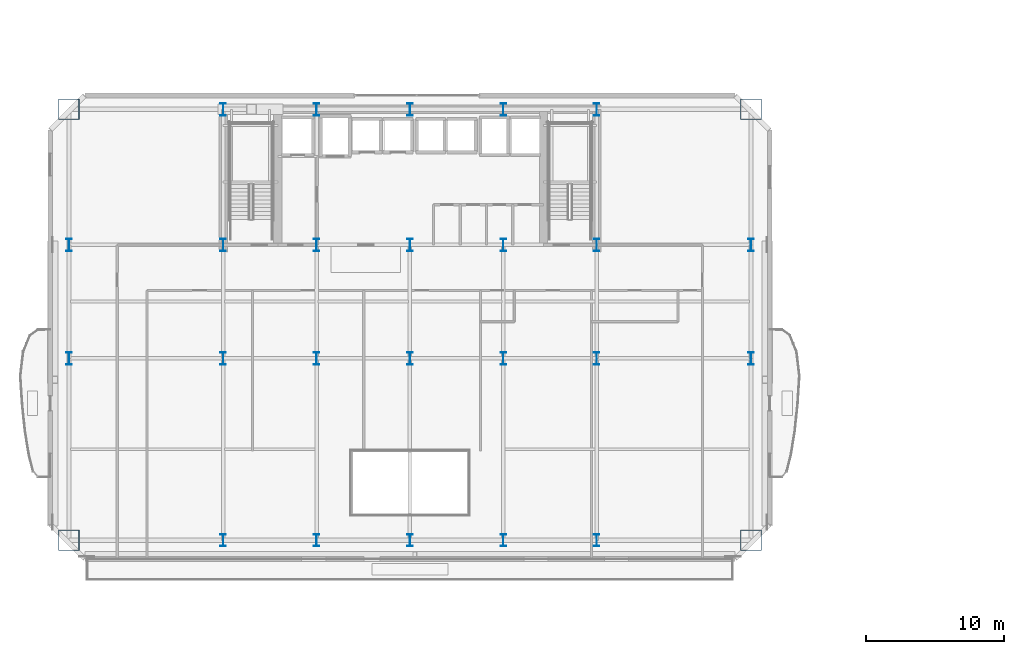
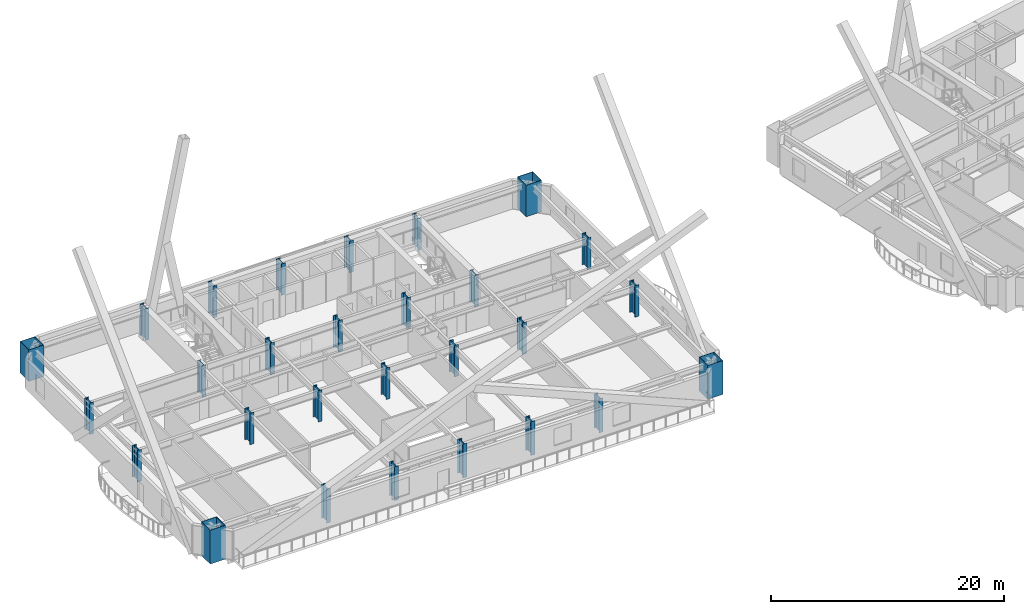
# One storey, part 1 of 25: 28 columns.
"""IFC4 building model written with IfcOpenShell, lengths in metres."""

from ifc_helpers import new_model, si_unit, direction, frame, origin, origin_2d, place, context, subcontext, project, spatial, hollow_rectangle, i_section, extrude, material, material_profile, profile_set, type_object, element, save


model = new_model("IFC4")

# Units and contexts
model_context = context("Model", 3, precision=1e-05, world=origin(), true_north=direction((0.0, 1.0)))
body_context = subcontext(model_context, "Body", "Model", "MODEL_VIEW")
ifc_project = project(units=[si_unit("LENGTHUNIT", "METRE"), si_unit("AREAUNIT", "SQUARE_METRE"), si_unit("VOLUMEUNIT", "CUBIC_METRE"), si_unit("PLANEANGLEUNIT", "RADIAN"), si_unit("MASSUNIT", "GRAM", prefix="KILO")], contexts=[model_context])

# Site, building, storey
site_placement = place(None, origin())
site = spatial("IfcSite", under=ifc_project, at=site_placement, CompositionType="ELEMENT")
building_placement = place(site_placement, origin())
building = spatial("IfcBuilding", under=site, at=building_placement, Name="Haevon Station Towers", CompositionType="ELEMENT")
storey_placement = place(building_placement, frame((0.0, 0.0, 50.39990234375)))
storey = spatial("IfcBuildingStorey", under=building, at=storey_placement, Name="L12", CompositionType="ELEMENT", Elevation=50.39990234375)

# Columns
ifc_material = material(Name="Steel S460", Category="steel")
ifc_material_profile_1 = material_profile(ifc_material, hollow_rectangle(XDim=1.5, YDim=1.5, WallThickness=0.0400390625, at=origin_2d()), Name="BOX-1500x1500x40")
ifc_profile_set_1 = profile_set([ifc_material_profile_1], Name="Steel S460")
column_type_1 = type_object("IfcColumnType", Name="COL-MC2", PredefinedType="COLUMN", material=ifc_profile_set_1)
column_1_placement = place(storey_placement, frame((12.85009765625, 16.85009765625, -0.25), z_axis=(0.0, 0.0, 1.0), x_axis=(1.0, 0.0, 0.0)))
element("IfcColumn", 1, at=column_1_placement, inside=storey, type_object=column_type_1, Name="COL-T1-L12-01-01", PredefinedType="COLUMN", context=body_context, shape_type="SweptSolid", body=[
    extrude(hollow_rectangle(XDim=1.5, YDim=1.5, WallThickness=0.0400390625, at=origin_2d()), origin(), (0.0, 0.0, 1.0), 3.550048828125),
])
column_2_placement = place(storey_placement, frame((12.85009765625, 48.0, 0.0), z_axis=(0.0, 0.0, 1.0), x_axis=(1.0, 0.0, 0.0)))
element("IfcColumn", 2, at=column_2_placement, inside=storey, type_object=column_type_1, Name="COL-T1-L12-01-04", PredefinedType="COLUMN", context=body_context, shape_type="SweptSolid", body=[
    extrude(hollow_rectangle(XDim=1.5, YDim=1.5, WallThickness=0.0400390625, at=origin_2d()), origin(), (0.0, 0.0, 1.0), 3.300048828125),
])
column_3_placement = place(storey_placement, frame((62.14990234375, 16.85009765625, -0.25), z_axis=(0.0, 0.0, 1.0), x_axis=(1.0, 0.0, 0.0)))
element("IfcColumn", 3, at=column_3_placement, inside=storey, type_object=column_type_1, Name="COL-T1-L12-07-01", PredefinedType="COLUMN", context=body_context, shape_type="SweptSolid", body=[
    extrude(hollow_rectangle(XDim=1.5, YDim=1.5, WallThickness=0.0400390625, at=origin_2d()), origin(), (0.0, 0.0, 1.0), 3.550048828125),
])
column_4_placement = place(storey_placement, frame((62.14990234375, 48.0, 0.0), z_axis=(0.0, 0.0, 1.0), x_axis=(1.0, 0.0, 0.0)))
element("IfcColumn", 4, at=column_4_placement, inside=storey, type_object=column_type_1, Name="COL-T1-L12-07-04", PredefinedType="COLUMN", context=body_context, shape_type="SweptSolid", body=[
    extrude(hollow_rectangle(XDim=1.5, YDim=1.5, WallThickness=0.0400390625, at=origin_2d()), origin(), (0.0, 0.0, 1.0), 3.300048828125),
])
ifc_material_profile_2 = material_profile(ifc_material, i_section(OverallWidth=0.39990234375, OverallDepth=0.89990234375, WebThickness=0.02001953125, FlangeThickness=0.035888671875, at=origin_2d()), Name="H-900x400x20x36")
ifc_profile_set_2 = profile_set([ifc_material_profile_2], Name="Steel S460")
column_type_2 = type_object("IfcColumnType", Name="COL-TW1", PredefinedType="COLUMN", material=ifc_profile_set_2)
for number, where, z_axis, x_axis, name in (
    (5, (12.85009765625, 30.0, 0.0), (0.0, 0.0, 1.0), (1.0, 0.0, 0.0), "COL-T1-L12-01-02"),
    (6, (12.85009765625, 38.199951171875, 0.0), (0.0, 0.0, 1.0), (1.0, 0.0, 0.0), "COL-T1-L12-01-03"),
):
    element("IfcColumn", number, at=place(storey_placement, frame(where, z_axis=z_axis, x_axis=x_axis)), inside=storey, type_object=column_type_2, Name=name, PredefinedType="COLUMN", context=body_context, shape_type="SweptSolid", body=[
        extrude(i_section(OverallWidth=0.39990234375, OverallDepth=0.89990234375, WebThickness=0.02001953125, FlangeThickness=0.035888671875, at=origin_2d()), origin(), (0.0, 0.0, 1.0), 3.300048828125),
    ])
column_5_placement = place(storey_placement, frame((24.0, 16.85009765625, -0.25), z_axis=(0.0, 0.0, 1.0), x_axis=(1.0, 0.0, 0.0)))
element("IfcColumn", 7, at=column_5_placement, inside=storey, type_object=column_type_2, Name="COL-T1-L12-02-01", PredefinedType="COLUMN", context=body_context, shape_type="SweptSolid", body=[
    extrude(i_section(OverallWidth=0.39990234375, OverallDepth=0.89990234375, WebThickness=0.02001953125, FlangeThickness=0.035888671875, at=origin_2d()), origin(), (0.0, 0.0, 1.0), 3.550048828125),
])
for number, where, z_axis, x_axis, name in (
    (8, (24.0, 30.0, 0.0), (0.0, 0.0, 1.0), (1.0, 0.0, 0.0), "COL-T1-L12-02-02"),
    (9, (24.0, 38.199951171875, 0.0), (0.0, 0.0, 1.0), (1.0, 0.0, 0.0), "COL-T1-L12-02-03"),
    (10, (24.0, 48.0, 0.0), (0.0, 0.0, 1.0), (1.0, 0.0, 0.0), "COL-T1-L12-02-04"),
):
    element("IfcColumn", number, at=place(storey_placement, frame(where, z_axis=z_axis, x_axis=x_axis)), inside=storey, type_object=column_type_2, Name=name, PredefinedType="COLUMN", context=body_context, shape_type="SweptSolid", body=[
        extrude(i_section(OverallWidth=0.39990234375, OverallDepth=0.89990234375, WebThickness=0.02001953125, FlangeThickness=0.035888671875, at=origin_2d()), origin(), (0.0, 0.0, 1.0), 3.300048828125),
    ])
column_6_placement = place(storey_placement, frame((30.75, 16.85009765625, -0.25), z_axis=(0.0, 0.0, 1.0), x_axis=(1.0, 0.0, 0.0)))
element("IfcColumn", 11, at=column_6_placement, inside=storey, type_object=column_type_2, Name="COL-T1-L12-03-01", PredefinedType="COLUMN", context=body_context, shape_type="SweptSolid", body=[
    extrude(i_section(OverallWidth=0.39990234375, OverallDepth=0.89990234375, WebThickness=0.02001953125, FlangeThickness=0.035888671875, at=origin_2d()), origin(), (0.0, 0.0, 1.0), 3.550048828125),
])
for number, where, z_axis, x_axis, name in (
    (12, (30.75, 30.0, 0.0), (0.0, 0.0, 1.0), (1.0, 0.0, 0.0), "COL-T1-L12-03-02"),
    (13, (30.75, 38.199951171875, 0.0), (0.0, 0.0, 1.0), (1.0, 0.0, 0.0), "COL-T1-L12-03-03"),
    (14, (30.75, 48.0, 0.0), (0.0, 0.0, 1.0), (1.0, 0.0, 0.0), "COL-T1-L12-03-04"),
):
    element("IfcColumn", number, at=place(storey_placement, frame(where, z_axis=z_axis, x_axis=x_axis)), inside=storey, type_object=column_type_2, Name=name, PredefinedType="COLUMN", context=body_context, shape_type="SweptSolid", body=[
        extrude(i_section(OverallWidth=0.39990234375, OverallDepth=0.89990234375, WebThickness=0.02001953125, FlangeThickness=0.035888671875, at=origin_2d()), origin(), (0.0, 0.0, 1.0), 3.300048828125),
    ])
column_7_placement = place(storey_placement, frame((37.5, 16.85009765625, -0.25), z_axis=(0.0, 0.0, 1.0), x_axis=(1.0, 0.0, 0.0)))
element("IfcColumn", 15, at=column_7_placement, inside=storey, type_object=column_type_2, Name="COL-T1-L12-04-01", PredefinedType="COLUMN", context=body_context, shape_type="SweptSolid", body=[
    extrude(i_section(OverallWidth=0.39990234375, OverallDepth=0.89990234375, WebThickness=0.02001953125, FlangeThickness=0.035888671875, at=origin_2d()), origin(), (0.0, 0.0, 1.0), 3.550048828125),
])
for number, where, z_axis, x_axis, name in (
    (16, (37.5, 30.0, 0.0), (0.0, 0.0, 1.0), (1.0, 0.0, 0.0), "COL-T1-L12-04-02"),
    (17, (37.5, 38.199951171875, 0.0), (0.0, 0.0, 1.0), (1.0, 0.0, 0.0), "COL-T1-L12-04-03"),
    (18, (37.5, 48.0, 0.0), (0.0, 0.0, 1.0), (1.0, 0.0, 0.0), "COL-T1-L12-04-04"),
):
    element("IfcColumn", number, at=place(storey_placement, frame(where, z_axis=z_axis, x_axis=x_axis)), inside=storey, type_object=column_type_2, Name=name, PredefinedType="COLUMN", context=body_context, shape_type="SweptSolid", body=[
        extrude(i_section(OverallWidth=0.39990234375, OverallDepth=0.89990234375, WebThickness=0.02001953125, FlangeThickness=0.035888671875, at=origin_2d()), origin(), (0.0, 0.0, 1.0), 3.300048828125),
    ])
column_8_placement = place(storey_placement, frame((44.25, 16.85009765625, -0.25), z_axis=(0.0, 0.0, 1.0), x_axis=(1.0, 0.0, 0.0)))
element("IfcColumn", 19, at=column_8_placement, inside=storey, type_object=column_type_2, Name="COL-T1-L12-05-01", PredefinedType="COLUMN", context=body_context, shape_type="SweptSolid", body=[
    extrude(i_section(OverallWidth=0.39990234375, OverallDepth=0.89990234375, WebThickness=0.02001953125, FlangeThickness=0.035888671875, at=origin_2d()), origin(), (0.0, 0.0, 1.0), 3.550048828125),
])
for number, where, z_axis, x_axis, name in (
    (20, (44.25, 30.0, 0.0), (0.0, 0.0, 1.0), (1.0, 0.0, 0.0), "COL-T1-L12-05-02"),
    (21, (44.25, 38.199951171875, 0.0), (0.0, 0.0, 1.0), (1.0, 0.0, 0.0), "COL-T1-L12-05-03"),
    (22, (44.25, 48.0, 0.0), (0.0, 0.0, 1.0), (1.0, 0.0, 0.0), "COL-T1-L12-05-04"),
):
    element("IfcColumn", number, at=place(storey_placement, frame(where, z_axis=z_axis, x_axis=x_axis)), inside=storey, type_object=column_type_2, Name=name, PredefinedType="COLUMN", context=body_context, shape_type="SweptSolid", body=[
        extrude(i_section(OverallWidth=0.39990234375, OverallDepth=0.89990234375, WebThickness=0.02001953125, FlangeThickness=0.035888671875, at=origin_2d()), origin(), (0.0, 0.0, 1.0), 3.300048828125),
    ])
column_9_placement = place(storey_placement, frame((51.0, 16.85009765625, -0.25), z_axis=(0.0, 0.0, 1.0), x_axis=(1.0, 0.0, 0.0)))
element("IfcColumn", 23, at=column_9_placement, inside=storey, type_object=column_type_2, Name="COL-T1-L12-06-01", PredefinedType="COLUMN", context=body_context, shape_type="SweptSolid", body=[
    extrude(i_section(OverallWidth=0.39990234375, OverallDepth=0.89990234375, WebThickness=0.02001953125, FlangeThickness=0.035888671875, at=origin_2d()), origin(), (0.0, 0.0, 1.0), 3.550048828125),
])
for number, where, z_axis, x_axis, name in (
    (24, (51.0, 30.0, 0.0), (0.0, 0.0, 1.0), (1.0, 0.0, 0.0), "COL-T1-L12-06-02"),
    (25, (51.0, 38.199951171875, 0.0), (0.0, 0.0, 1.0), (1.0, 0.0, 0.0), "COL-T1-L12-06-03"),
    (26, (51.0, 48.0, 0.0), (0.0, 0.0, 1.0), (1.0, 0.0, 0.0), "COL-T1-L12-06-04"),
    (27, (62.14990234375, 30.0, 0.0), (0.0, 0.0, 1.0), (1.0, 0.0, 0.0), "COL-T1-L12-07-02"),
    (28, (62.14990234375, 38.199951171875, 0.0), (0.0, 0.0, 1.0), (1.0, 0.0, 0.0), "COL-T1-L12-07-03"),
):
    element("IfcColumn", number, at=place(storey_placement, frame(where, z_axis=z_axis, x_axis=x_axis)), inside=storey, type_object=column_type_2, Name=name, PredefinedType="COLUMN", context=body_context, shape_type="SweptSolid", body=[
        extrude(i_section(OverallWidth=0.39990234375, OverallDepth=0.89990234375, WebThickness=0.02001953125, FlangeThickness=0.035888671875, at=origin_2d()), origin(), (0.0, 0.0, 1.0), 3.300048828125),
    ])

save(model, "model.ifc")
